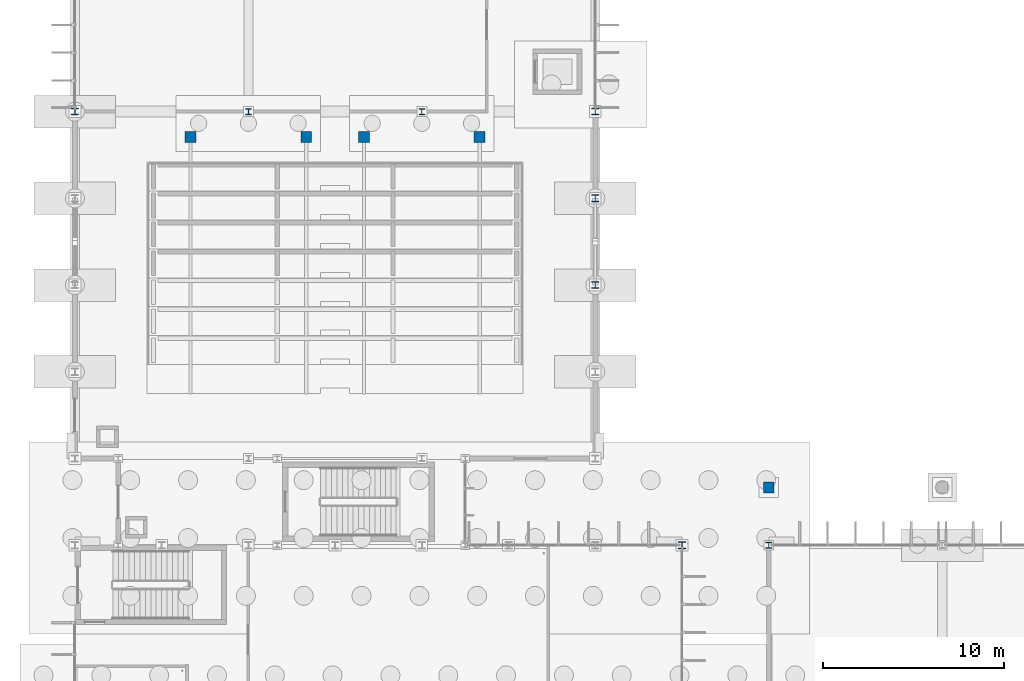
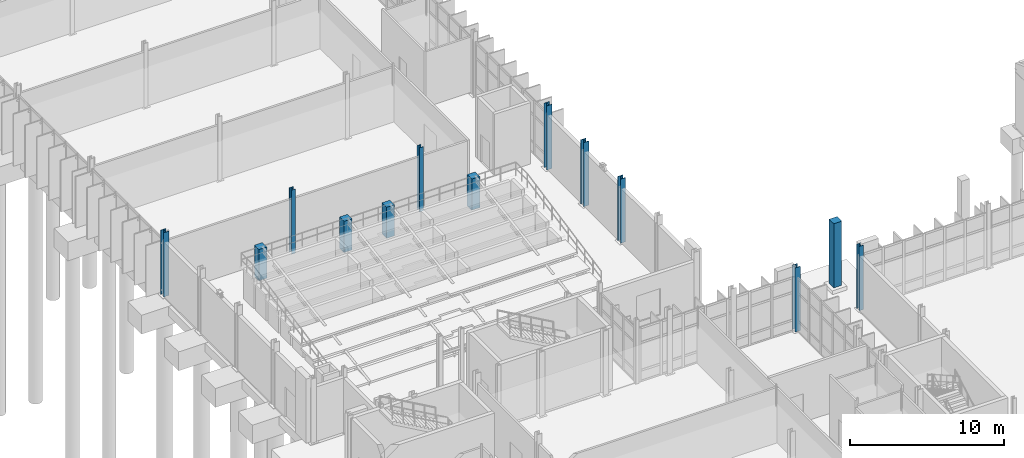
# One storey, part 9 of 111: 13 columns.
"""IFC4 building model written with IfcOpenShell, lengths in metres."""

from ifc_helpers import new_model, si_unit, direction, frame, origin, origin_2d, place, context, subcontext, project, spatial, rectangle, i_section, extrude, material, material_profile, profile_set, type_object, element, save


model = new_model("IFC4")

# Units and contexts
model_context = context("Model", 3, precision=1e-05, world=origin(), true_north=direction((0.0, 1.0)))
body_context = subcontext(model_context, "Body", "Model", "MODEL_VIEW")
ifc_project = project(units=[si_unit("LENGTHUNIT", "METRE"), si_unit("AREAUNIT", "SQUARE_METRE"), si_unit("VOLUMEUNIT", "CUBIC_METRE"), si_unit("PLANEANGLEUNIT", "RADIAN"), si_unit("MASSUNIT", "GRAM", prefix="KILO")], contexts=[model_context])

# Site, building, storey
site_placement = place(None, origin())
site = spatial("IfcSite", under=ifc_project, at=site_placement, CompositionType="ELEMENT")
building_placement = place(site_placement, origin())
building = spatial("IfcBuilding", under=site, at=building_placement, Name="Dunescarp Central Library", CompositionType="ELEMENT")
storey_placement = place(building_placement, origin())
storey = spatial("IfcBuildingStorey", under=building, at=storey_placement, Name="L00", CompositionType="ELEMENT", Elevation=0.0)

# Columns
ifc_material_1 = material(Name="Concrete C40/50", Category="concrete")
ifc_material_profile_1 = material_profile(ifc_material_1, rectangle(XDim=0.60009765625, YDim=0.60009765625, at=origin_2d()), Name="RC 600x600")
ifc_profile_set_1 = profile_set([ifc_material_profile_1], Name="Concrete C40/50")
column_type_1 = type_object("IfcColumnType", Name="STR-COL-RC600", PredefinedType="COLUMN", material=ifc_profile_set_1)
column_1_placement = place(storey_placement, frame((38.39990234375, 40.0, 0.0), z_axis=(0.0, 0.0, 1.0), x_axis=(1.0, 0.0, 0.0)))
element("IfcColumn", 1, at=column_1_placement, inside=storey, type_object=column_type_1, Name="L00 column TERP-384-400", PredefinedType="COLUMN", context=body_context, shape_type="SweptSolid", body=[
    extrude(rectangle(XDim=0.60009765625, YDim=0.60009765625, at=origin_2d()), origin(), (0.0, 0.0, 1.0), 5.10009765625),
])
for number, where, z_axis, x_axis, name in (
    (2, (6.39990234375, 59.39990234375, 0.0), (0.0, 0.0, 1.0), (1.0, 0.0, 0.0), "Auditorium tier pier 6.4"),
    (3, (12.800048828125, 59.39990234375, 0.0), (0.0, 0.0, 1.0), (1.0, 0.0, 0.0), "Auditorium tier pier 12.8"),
    (4, (16.0, 59.39990234375, 0.0), (0.0, 0.0, 1.0), (1.0, 0.0, 0.0), "Auditorium tier pier 16.0"),
    (5, (22.39990234375, 59.39990234375, 0.0), (0.0, 0.0, 1.0), (1.0, 0.0, 0.0), "Auditorium tier pier 22.4"),
):
    element("IfcColumn", number, at=place(storey_placement, frame(where, z_axis=z_axis, x_axis=x_axis)), inside=storey, type_object=column_type_1, Name=name, PredefinedType="COLUMN", context=body_context, shape_type="SweptSolid", body=[
        extrude(rectangle(XDim=0.60009765625, YDim=0.60009765625, at=origin_2d()), origin(), (0.0, 0.0, 1.0), 2.47998046875),
    ])
ifc_material_2 = material(Name="Steel S355JR", Category="steel")
ifc_material_profile_2 = material_profile(ifc_material_2, i_section(OverallWidth=0.311279296875, OverallDepth=0.3271484375, WebThickness=0.015869140625, FlangeThickness=0.02490234375, at=origin_2d()), Name="UC 305x305x158")
ifc_profile_set_2 = profile_set([ifc_material_profile_2], Name="Steel S355JR")
column_type_2 = type_object("IfcColumnType", Name="STR-COL-UC305X158", PredefinedType="COLUMN", material=ifc_profile_set_2)
for number, where, z_axis, x_axis, name in (
    (6, (9.60009765625, 60.800048828125, 0.0), (0.0, 0.0, 1.0), (1.0, 0.0, 0.0), "L00 column V4B-96-608"),
    (7, (19.199951171875, 60.800048828125, 0.0), (0.0, 0.0, 1.0), (1.0, 0.0, 0.0), "L00 column V4B-192-608"),
):
    element("IfcColumn", number, at=place(storey_placement, frame(where, z_axis=z_axis, x_axis=x_axis)), inside=storey, type_object=column_type_2, Name=name, PredefinedType="COLUMN", context=body_context, shape_type="SweptSolid", body=[
        extrude(i_section(OverallWidth=0.311279296875, OverallDepth=0.3271484375, WebThickness=0.015869140625, FlangeThickness=0.02490234375, at=origin_2d()), origin(), (0.0, 0.0, 1.0), 5.10009765625),
    ])
ifc_material_profile_3 = material_profile(ifc_material_2, i_section(OverallWidth=0.314453125, OverallDepth=0.33984375, WebThickness=0.01904296875, FlangeThickness=0.031494140625, at=origin_2d()), Name="UC 305x305x198")
ifc_profile_set_3 = profile_set([ifc_material_profile_3], Name="Steel S355JR")
column_type_3 = type_object("IfcColumnType", Name="STR-COL-UC305X198", PredefinedType="COLUMN", material=ifc_profile_set_3)
column_2_placement = place(storey_placement, frame((38.39990234375, 36.800048828125, 0.0), z_axis=(0.0, 0.0, 1.0), x_axis=(1.0, 0.0, 0.0)))
element("IfcColumn", 8, at=column_2_placement, inside=storey, type_object=column_type_3, Name="L00 column V2-384-368", PredefinedType="COLUMN", context=body_context, shape_type="SweptSolid", body=[
    extrude(i_section(OverallWidth=0.314453125, OverallDepth=0.33984375, WebThickness=0.01904296875, FlangeThickness=0.031494140625, at=origin_2d()), origin(), (0.0, 0.0, 1.0), 5.10009765625),
])
ifc_material_profile_4 = material_profile(ifc_material_2, i_section(OverallWidth=0.394775390625, OverallDepth=0.381103515625, WebThickness=0.018310546875, FlangeThickness=0.0302734375, at=origin_2d()), Name="UC 356x406x235")
ifc_profile_set_4 = profile_set([ifc_material_profile_4], Name="Steel S355JR")
column_type_4 = type_object("IfcColumnType", Name="STR-COL-UC356X235", PredefinedType="COLUMN", material=ifc_profile_set_4)
for number, where, z_axis, x_axis, name in (
    (9, (33.60009765625, 36.800048828125, 0.0), (0.0, 0.0, 1.0), (1.0, 0.0, 0.0), "L00 column V1P-336-368"),
    (10, (0.0, 60.800048828125, 0.0), (0.0, 0.0, 1.0), (1.0, 0.0, 0.0), "L00 column V4A-0-608"),
    (11, (28.800048828125, 51.199951171875, 0.0), (0.0, 0.0, 1.0), (1.0, 0.0, 0.0), "L00 column V4A-288-512"),
    (12, (28.800048828125, 56.0, 0.0), (0.0, 0.0, 1.0), (1.0, 0.0, 0.0), "L00 column V4A-288-560"),
    (13, (28.800048828125, 60.800048828125, 0.0), (0.0, 0.0, 1.0), (1.0, 0.0, 0.0), "L00 column V4A-288-608"),
):
    element("IfcColumn", number, at=place(storey_placement, frame(where, z_axis=z_axis, x_axis=x_axis)), inside=storey, type_object=column_type_4, Name=name, PredefinedType="COLUMN", context=body_context, shape_type="SweptSolid", body=[
        extrude(i_section(OverallWidth=0.394775390625, OverallDepth=0.381103515625, WebThickness=0.018310546875, FlangeThickness=0.0302734375, at=origin_2d()), origin(), (0.0, 0.0, 1.0), 5.10009765625),
    ])

save(model, "model.ifc")
